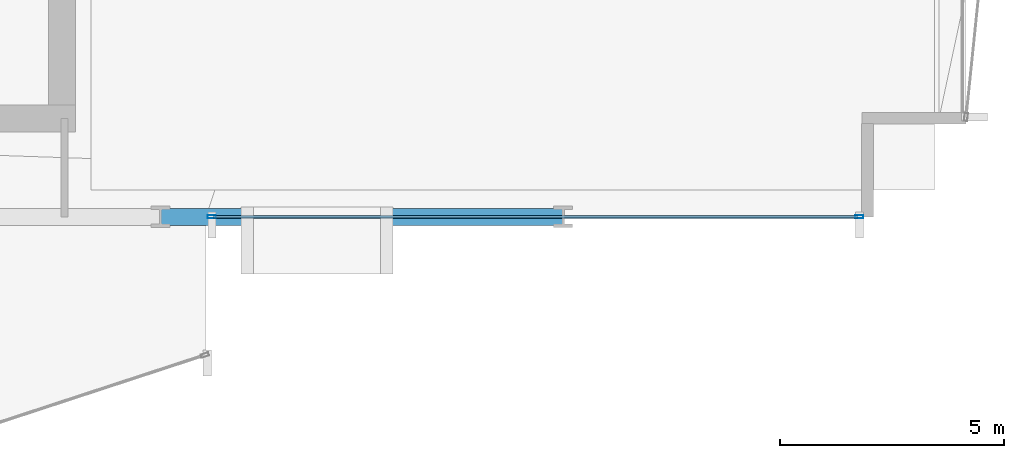
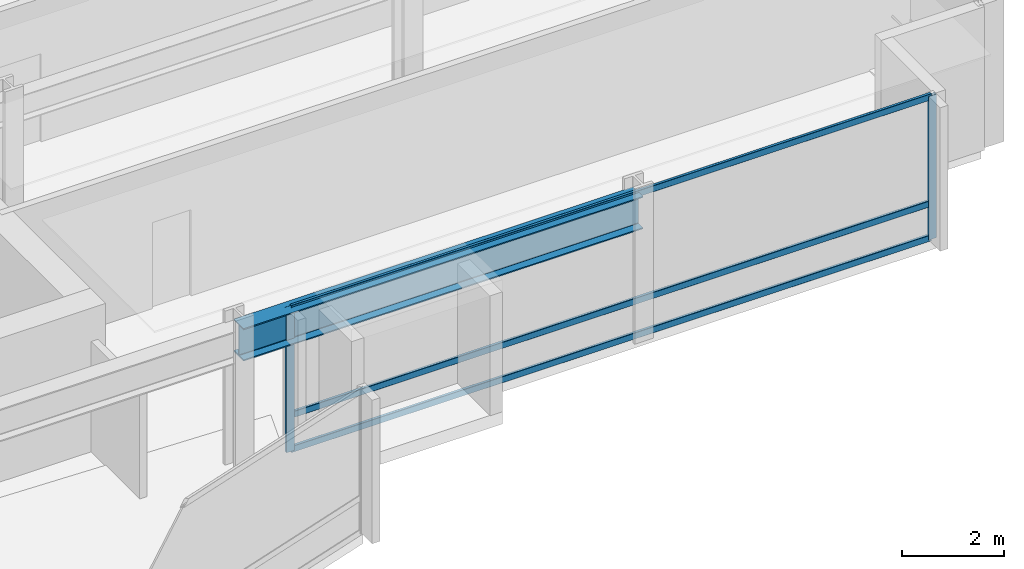
# One storey, part 12 of 34: 5 members, 1 beam, 1 element without a shape of its own.
"""IFC4 building model written with IfcOpenShell, lengths in metres."""

from ifc_helpers import new_model, si_unit, direction, frame, origin, origin_2d, place, context, subcontext, project, spatial, hollow_rectangle, i_section, extrude, material, layer, layer_set, material_profile, profile_set, type_object, element, aggregate, save


model = new_model("IFC4")

# Units and contexts
model_context = context("Model", 3, precision=1e-05, world=origin(), true_north=direction((0.0, 1.0)))
body_context = subcontext(model_context, "Body", "Model", "MODEL_VIEW")
ifc_project = project(units=[si_unit("LENGTHUNIT", "METRE"), si_unit("AREAUNIT", "SQUARE_METRE"), si_unit("VOLUMEUNIT", "CUBIC_METRE"), si_unit("PLANEANGLEUNIT", "RADIAN"), si_unit("MASSUNIT", "GRAM", prefix="KILO")], contexts=[model_context])

# Site, building, storey
site_placement = place(None, origin())
site = spatial("IfcSite", under=ifc_project, at=site_placement, CompositionType="ELEMENT")
building_placement = place(site_placement, origin())
building = spatial("IfcBuilding", under=site, at=building_placement, Name="Solvaryn Broadcast Tower", CompositionType="ELEMENT")
storey_placement = place(building_placement, frame((0.0, 0.0, 73.0)))
storey = spatial("IfcBuildingStorey", under=building, at=storey_placement, Name="L17", CompositionType="ELEMENT", Elevation=73.0)

# Beam
ifc_material_1 = material(Name="Steel ASTM A992 Grade 50", Category="steel")
ifc_material_profile_1 = material_profile(ifc_material_1, i_section(OverallWidth=0.381103515625, OverallDepth=0.77294921875, WebThickness=0.0166015625, FlangeThickness=0.027099609375, FilletRadius=0.01806640625, at=origin_2d()))
ifc_profile_set_1 = profile_set([ifc_material_profile_1], Name="Steel ASTM A992 Grade 50")
beam_type = type_object("IfcBeamType", Name="BM-SP1-W30X173", PredefinedType="USERDEFINED", material=ifc_profile_set_1)
beam_placement = place(storey_placement, frame((45.0, 9.0, 3.033447265625), z_axis=(1.0, 0.0, 0.0), x_axis=(0.0, 1.0, 0.0)))
element("IfcBeam", 1, at=beam_placement, inside=storey, type_object=beam_type, Name="L17 Spandrel Beam X (45-54 @ Y=9)", ObjectType="SPANDREL", PredefinedType="USERDEFINED", context=body_context, shape_type="SweptSolid", body=[
    extrude(i_section(OverallWidth=0.381103515625, OverallDepth=0.77294921875, WebThickness=0.0166015625, FlangeThickness=0.027099609375, FilletRadius=0.01806640625, at=origin_2d()), origin(), (0.0, 0.0, 1.0), 9.0),
])

# Curtain wall, members
ifc_material_2 = material(Name="Aluminium and Terracotta Unitised Curtain Wall", Category="masonry")
ifc_layer = layer(ifc_material_2, 0.199951171875)
ifc_layer_set = layer_set([ifc_layer], Name="CW-SYS2-LOWMID")
curtain_wall_type = type_object("IfcCurtainWallType", Name="CW-SYS2-LOWMID", PredefinedType="NOTDEFINED", material=ifc_layer_set)
curtain_wall_placement = place(storey_placement, origin())
curtain_wall = element("IfcCurtainWall", 2, at=curtain_wall_placement, inside=storey, type_object=curtain_wall_type, Name="L17 Curtain Wall S2", PredefinedType="NOTDEFINED")
ifc_material_3 = material(Name="Anodised Aluminium 6063-T6", Category="aluminium")
ifc_material_profile_2 = material_profile(ifc_material_3, hollow_rectangle(XDim=0.074951171875, YDim=0.179931640625, WallThickness=0.00390625, InnerFilletRadius=0.00390625, OuterFilletRadius=0.008056640625, at=origin_2d()))
ifc_profile_set_2 = profile_set([ifc_material_profile_2], Name="Anodised Aluminium 6063-T6")
member_type_1 = type_object("IfcMemberType", Name="CW-MUL-180", PredefinedType="MULLION", material=ifc_profile_set_2)
member_1_placement = place(storey_placement, frame((46.14599609375, 9.0, 0.0), z_axis=(0.0, 0.0, 1.0), x_axis=(0.0, 1.0, 0.0)))
member_1 = element("IfcMember", 3, at=member_1_placement, type_object=member_type_1, Name="CWS2 mullion 1", PredefinedType="MULLION", context=body_context, shape_type="SweptSolid", body=[
    extrude(hollow_rectangle(XDim=0.074951171875, YDim=0.179931640625, WallThickness=0.00390625, InnerFilletRadius=0.00390625, OuterFilletRadius=0.008056640625, at=origin_2d()), origin(), (0.0, 0.0, 1.0), 3.419921875),
])
member_2_placement = place(storey_placement, frame((60.6201171875, 9.0, 0.0), z_axis=(0.0, 0.0, 1.0), x_axis=(0.0, 1.0, 0.0)))
member_2 = element("IfcMember", 4, at=member_2_placement, type_object=member_type_1, Name="CWS2 mullion 2", PredefinedType="MULLION", context=body_context, shape_type="SweptSolid", body=[
    extrude(hollow_rectangle(XDim=0.074951171875, YDim=0.179931640625, WallThickness=0.00390625, InnerFilletRadius=0.00390625, OuterFilletRadius=0.008056640625, at=origin_2d()), origin(), (0.0, 0.0, 1.0), 3.419921875),
])
ifc_material_4 = material(Name="Anodised Aluminium 6063-T6", Category="aluminium")
ifc_material_profile_3 = material_profile(ifc_material_4, hollow_rectangle(XDim=0.06494140625, YDim=0.14990234375, WallThickness=0.00390625, InnerFilletRadius=0.00390625, OuterFilletRadius=0.008056640625, at=origin_2d()))
ifc_profile_set_3 = profile_set([ifc_material_profile_3], Name="Anodised Aluminium 6063-T6")
member_type_2 = type_object("IfcMemberType", Name="CW-TRN-150", PredefinedType="USERDEFINED", material=ifc_profile_set_3)
member_3_placement = place(storey_placement, frame((46.176025390625, 9.0, 0.030029296875), z_axis=(1.0, 0.0, 0.0), x_axis=(0.0, 1.0, 0.0)))
member_3 = element("IfcMember", 5, at=member_3_placement, type_object=member_type_2, Name="CWS2 transom 1.1", ObjectType="TRANSOM", PredefinedType="USERDEFINED", context=body_context, shape_type="SweptSolid", body=[
    extrude(hollow_rectangle(XDim=0.06494140625, YDim=0.14990234375, WallThickness=0.00390625, InnerFilletRadius=0.00390625, OuterFilletRadius=0.008056640625, at=origin_2d()), origin(), (0.0, 0.0, 1.0), 14.4140625),
])
member_4_placement = place(storey_placement, frame((46.176025390625, 9.0, 0.85009765625), z_axis=(1.0, 0.0, 0.0), x_axis=(0.0, 1.0, 0.0)))
member_4 = element("IfcMember", 6, at=member_4_placement, type_object=member_type_2, Name="CWS2 transom 1.2", ObjectType="TRANSOM", PredefinedType="USERDEFINED", context=body_context, shape_type="SweptSolid", body=[
    extrude(hollow_rectangle(XDim=0.06494140625, YDim=0.14990234375, WallThickness=0.00390625, InnerFilletRadius=0.00390625, OuterFilletRadius=0.008056640625, at=origin_2d()), origin(), (0.0, 0.0, 1.0), 14.4140625),
])
member_5_placement = place(storey_placement, frame((46.176025390625, 9.0, 3.389892578125), z_axis=(1.0, 0.0, 0.0), x_axis=(0.0, 1.0, 0.0)))
member_5 = element("IfcMember", 7, at=member_5_placement, type_object=member_type_2, Name="CWS2 transom 1.3", ObjectType="TRANSOM", PredefinedType="USERDEFINED", context=body_context, shape_type="SweptSolid", body=[
    extrude(hollow_rectangle(XDim=0.06494140625, YDim=0.14990234375, WallThickness=0.00390625, InnerFilletRadius=0.00390625, OuterFilletRadius=0.008056640625, at=origin_2d()), origin(), (0.0, 0.0, 1.0), 14.4140625),
])
aggregate(curtain_wall, [member_1, member_2, member_3, member_4, member_5])

save(model, "model.ifc")
